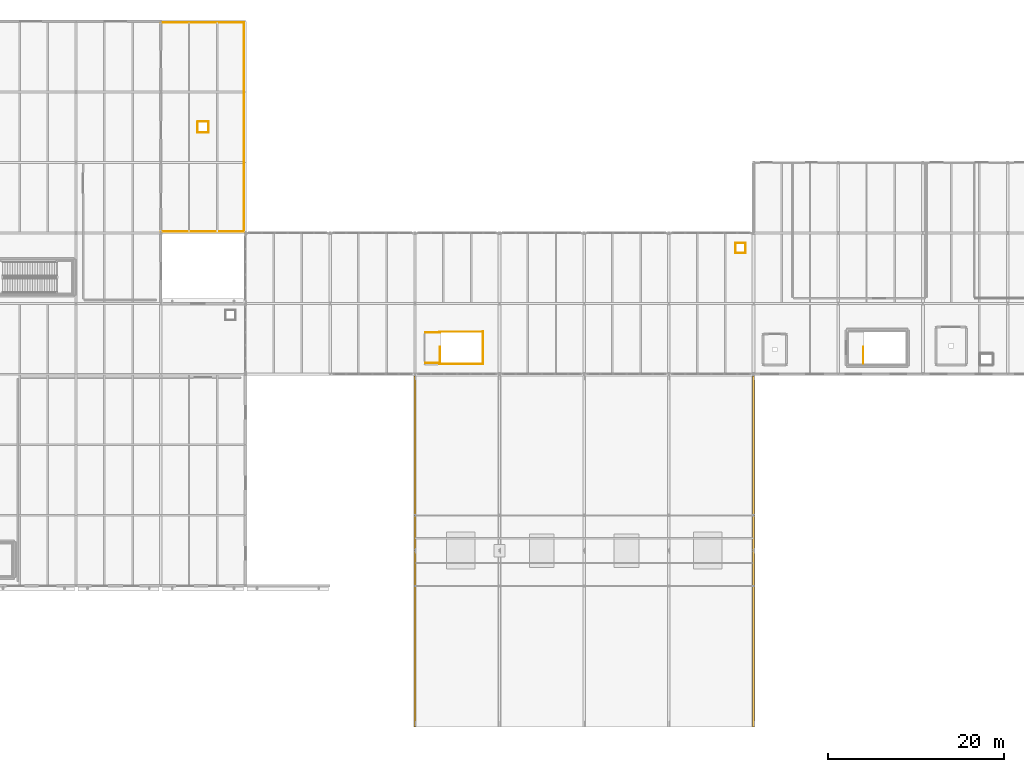
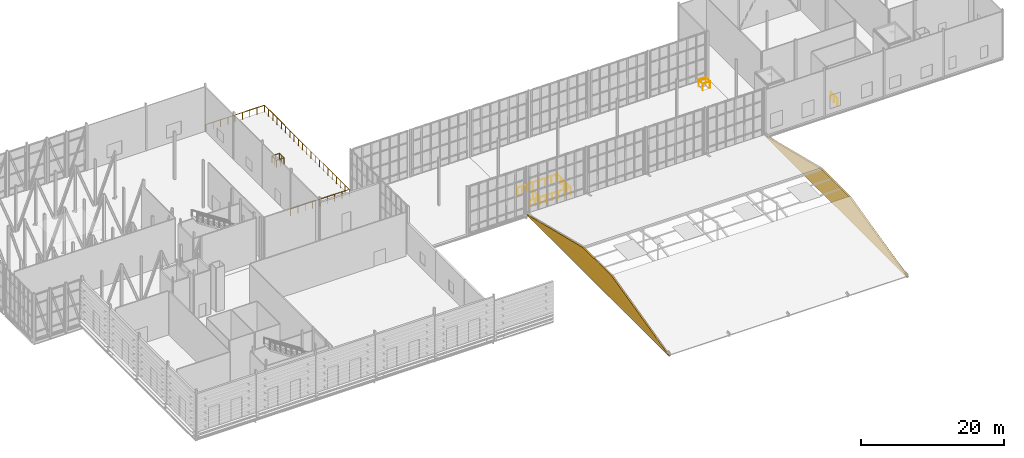
# One storey, part 73 of 73: 12 railings, 2 coverings.
"""IFC4 building model written with IfcOpenShell, lengths in metres."""

from ifc_helpers import new_model, si_unit, direction, frame, origin, origin_2d, place, context, subcontext, project, spatial, polyline, circle, outline, extrude, material, layer, layer_set, type_object, element, save


model = new_model("IFC4")

# Units and contexts
model_context = context("Model", 3, precision=1e-05, world=origin(), true_north=direction((0.0, 1.0)))
body_context = subcontext(model_context, "Body", "Model", "MODEL_VIEW")
ifc_project = project(units=[si_unit("LENGTHUNIT", "METRE"), si_unit("AREAUNIT", "SQUARE_METRE"), si_unit("VOLUMEUNIT", "CUBIC_METRE"), si_unit("PLANEANGLEUNIT", "RADIAN"), si_unit("MASSUNIT", "GRAM", prefix="KILO")], contexts=[model_context])

# Site, building, storey
site_placement = place(None, origin())
site = spatial("IfcSite", under=ifc_project, at=site_placement, CompositionType="ELEMENT")
building_placement = place(site_placement, origin())
building = spatial("IfcBuilding", under=site, at=building_placement, Name="Alderhovde Museum", CompositionType="ELEMENT")
storey_placement = place(building_placement, frame((0.0, 0.0, 17.39990234375)))
storey = spatial("IfcBuildingStorey", under=building, at=storey_placement, Name="L04", CompositionType="ELEMENT", Elevation=17.39990234375)

# Coverings
ifc_material_1 = material(Name="Carved Jura Limestone Gable Tympanum Cladding", Category="masonry")
ifc_layer = layer(ifc_material_1, 0.239990234375)
ifc_layer_set = layer_set([ifc_layer], Name="Carved Jura Limestone Gable Tympanum Cladding")
covering_type = type_object("IfcCoveringType", Name="COV-TYMP-STONE", PredefinedType="CLADDING", material=ifc_layer_set)
for number, where, z_axis, x_axis, name in (
    (1, (76.800048828125, 32.0, 0.0), (0.0, 0.0, 1.0), (0.0, 1.0, 0.0), "Conservatory Atrium Gable Tympanum 5"),
    (2, (115.199951171875, 32.0, 0.0), (0.0, 0.0, 1.0), (0.0, 1.0, 0.0), "Conservatory Atrium Gable Tympanum 6"),
):
    element("IfcCovering", number, at=place(storey_placement, frame(where, z_axis=z_axis, x_axis=x_axis)), inside=storey, type_object=covering_type, Name=name, PredefinedType="CLADDING", context=body_context, shape_type="SweptSolid", body=[
        extrude(outline(polyline([(0.0, 0.0), (39.800048828125, 0.0), (39.800048828125, 0.080078125), (24.0, 3.960205078125), (16.0, 3.960205078125), (0.0, 0.080078125), (0.0, 0.0)])), frame((0.0, 0.1201171875, 0.0), z_axis=(0.0, -1.0, 0.0), x_axis=(1.0, 0.0, 0.0)), (0.0, 0.0, 1.0), 0.239990234375),
    ])

# Railings
ifc_material_2 = material(Name="Bronze-Anodised Steel and Honed Limestone Balustrade", Category="masonry")
railing_type_1 = type_object("IfcRailingType", Name="RL-BALUSTRADE-1200", PredefinedType="BALUSTRADE", material=ifc_material_2)
railing_1_placement = place(storey_placement, frame((48.0, 88.14990234375, 0.0)))
element("IfcRailing", 3, at=railing_1_placement, inside=storey, type_object=railing_type_1, Name="L04 Terrace Balustrade BAL-L04-NORTH-PERIM", PredefinedType="BALUSTRADE", context=body_context, shape_type="SweptSolid", body=[
    extrude(circle(Radius=0.030029296875, at=origin_2d()), frame((0.0, 0.0, 1.169921875), z_axis=(1.0, 0.0, 0.0), x_axis=(0.0, 1.0, 0.0)), (0.0, 0.0, 1.0), 9.449951171875),
    extrude(circle(Radius=0.030029296875, at=origin_2d()), frame((9.449951171875, 0.0, 1.169921875), z_axis=(0.0, 1.0, 0.0), x_axis=(-1.0, 0.0, 0.0)), (0.0, 0.0, 1.0), 23.7001953125),
    extrude(circle(Radius=0.030029296875, at=origin_2d()), frame((9.449951171875, 23.7001953125, 1.169921875), z_axis=(-1.0, 0.0, 0.0), x_axis=(0.0, -1.0, 0.0)), (0.0, 0.0, 1.0), 9.449951171875),
    extrude(circle(Radius=0.02490234375, at=origin_2d()), origin(), (0.0, 0.0, 1.0), 1.139892578125),
    extrude(circle(Radius=0.02490234375, at=origin_2d()), frame((1.18115234375, 0.0, 0.0)), (0.0, 0.0, 1.0), 1.139892578125),
    extrude(circle(Radius=0.02490234375, at=origin_2d()), frame((2.362548828125, 0.0, 0.0)), (0.0, 0.0, 1.0), 1.139892578125),
    extrude(circle(Radius=0.02490234375, at=origin_2d()), frame((3.543701171875, 0.0, 0.0)), (0.0, 0.0, 1.0), 1.139892578125),
    extrude(circle(Radius=0.02490234375, at=origin_2d()), frame((4.72509765625, 0.0, 0.0)), (0.0, 0.0, 1.0), 1.139892578125),
    extrude(circle(Radius=0.02490234375, at=origin_2d()), frame((5.90625, 0.0, 0.0)), (0.0, 0.0, 1.0), 1.139892578125),
    extrude(circle(Radius=0.02490234375, at=origin_2d()), frame((7.08740234375, 0.0, 0.0)), (0.0, 0.0, 1.0), 1.139892578125),
    extrude(circle(Radius=0.02490234375, at=origin_2d()), frame((8.268798828125, 0.0, 0.0)), (0.0, 0.0, 1.0), 1.139892578125),
    extrude(circle(Radius=0.02490234375, at=origin_2d()), frame((9.449951171875, 0.0, 0.0)), (0.0, 0.0, 1.0), 1.139892578125),
    extrude(circle(Radius=0.02490234375, at=origin_2d()), frame((9.449951171875, 1.18505859375, 0.0)), (0.0, 0.0, 1.0), 1.139892578125),
    extrude(circle(Radius=0.02490234375, at=origin_2d()), frame((9.449951171875, 2.3701171875, 0.0)), (0.0, 0.0, 1.0), 1.139892578125),
    extrude(circle(Radius=0.02490234375, at=origin_2d()), frame((9.449951171875, 3.554931640625, 0.0)), (0.0, 0.0, 1.0), 1.139892578125),
    extrude(circle(Radius=0.02490234375, at=origin_2d()), frame((9.449951171875, 4.739990234375, 0.0)), (0.0, 0.0, 1.0), 1.139892578125),
    extrude(circle(Radius=0.02490234375, at=origin_2d()), frame((9.449951171875, 5.925048828125, 0.0)), (0.0, 0.0, 1.0), 1.139892578125),
    extrude(circle(Radius=0.02490234375, at=origin_2d()), frame((9.449951171875, 7.110107421875, 0.0)), (0.0, 0.0, 1.0), 1.139892578125),
    extrude(circle(Radius=0.02490234375, at=origin_2d()), frame((9.449951171875, 8.295166015625, 0.0)), (0.0, 0.0, 1.0), 1.139892578125),
    extrude(circle(Radius=0.02490234375, at=origin_2d()), frame((9.449951171875, 9.47998046875, 0.0)), (0.0, 0.0, 1.0), 1.139892578125),
    extrude(circle(Radius=0.02490234375, at=origin_2d()), frame((9.449951171875, 10.6650390625, 0.0)), (0.0, 0.0, 1.0), 1.139892578125),
    extrude(circle(Radius=0.02490234375, at=origin_2d()), frame((9.449951171875, 11.85009765625, 0.0)), (0.0, 0.0, 1.0), 1.139892578125),
    extrude(circle(Radius=0.02490234375, at=origin_2d()), frame((9.449951171875, 13.03515625, 0.0)), (0.0, 0.0, 1.0), 1.139892578125),
    extrude(circle(Radius=0.02490234375, at=origin_2d()), frame((9.449951171875, 14.22021484375, 0.0)), (0.0, 0.0, 1.0), 1.139892578125),
    extrude(circle(Radius=0.02490234375, at=origin_2d()), frame((9.449951171875, 15.405029296875, 0.0)), (0.0, 0.0, 1.0), 1.139892578125),
    extrude(circle(Radius=0.02490234375, at=origin_2d()), frame((9.449951171875, 16.590087890625, 0.0)), (0.0, 0.0, 1.0), 1.139892578125),
    extrude(circle(Radius=0.02490234375, at=origin_2d()), frame((9.449951171875, 17.775146484375, 0.0)), (0.0, 0.0, 1.0), 1.139892578125),
    extrude(circle(Radius=0.02490234375, at=origin_2d()), frame((9.449951171875, 18.960205078125, 0.0)), (0.0, 0.0, 1.0), 1.139892578125),
    extrude(circle(Radius=0.02490234375, at=origin_2d()), frame((9.449951171875, 20.145263671875, 0.0)), (0.0, 0.0, 1.0), 1.139892578125),
    extrude(circle(Radius=0.02490234375, at=origin_2d()), frame((9.449951171875, 21.330078125, 0.0)), (0.0, 0.0, 1.0), 1.139892578125),
    extrude(circle(Radius=0.02490234375, at=origin_2d()), frame((9.449951171875, 22.51513671875, 0.0)), (0.0, 0.0, 1.0), 1.139892578125),
    extrude(circle(Radius=0.02490234375, at=origin_2d()), frame((9.449951171875, 23.7001953125, 0.0)), (0.0, 0.0, 1.0), 1.139892578125),
    extrude(circle(Radius=0.02490234375, at=origin_2d()), frame((8.268798828125, 23.7001953125, 0.0)), (0.0, 0.0, 1.0), 1.139892578125),
    extrude(circle(Radius=0.02490234375, at=origin_2d()), frame((7.08740234375, 23.7001953125, 0.0)), (0.0, 0.0, 1.0), 1.139892578125),
    extrude(circle(Radius=0.02490234375, at=origin_2d()), frame((5.90625, 23.7001953125, 0.0)), (0.0, 0.0, 1.0), 1.139892578125),
    extrude(circle(Radius=0.02490234375, at=origin_2d()), frame((4.72509765625, 23.7001953125, 0.0)), (0.0, 0.0, 1.0), 1.139892578125),
    extrude(circle(Radius=0.02490234375, at=origin_2d()), frame((3.543701171875, 23.7001953125, 0.0)), (0.0, 0.0, 1.0), 1.139892578125),
    extrude(circle(Radius=0.02490234375, at=origin_2d()), frame((2.362548828125, 23.7001953125, 0.0)), (0.0, 0.0, 1.0), 1.139892578125),
    extrude(circle(Radius=0.02490234375, at=origin_2d()), frame((1.18115234375, 23.7001953125, 0.0)), (0.0, 0.0, 1.0), 1.139892578125),
    extrude(circle(Radius=0.02490234375, at=origin_2d()), frame((0.0, 23.7001953125, 0.0)), (0.0, 0.0, 1.0), 1.139892578125),
])
railing_2_placement = place(storey_placement, frame((52.179931640625, 99.3798828125, 0.0)))
element("IfcRailing", 4, at=railing_2_placement, inside=storey, type_object=railing_type_1, Name="L04 Terrace Planter Guard SLAB-TERR-L04-NORTH A", PredefinedType="BALUSTRADE", context=body_context, shape_type="SweptSolid", body=[
    extrude(circle(Radius=0.02392578125, at=origin_2d()), frame((0.0, 0.0, 1.17578125), z_axis=(1.0, 0.0, 0.0), x_axis=(0.0, 1.0, 0.0)), (0.0, 0.0, 1.0), 1.239990234375),
    extrude(circle(Radius=0.02392578125, at=origin_2d()), frame((1.239990234375, 0.0, 1.17578125), z_axis=(0.0, 1.0, 0.0), x_axis=(-1.0, 0.0, 0.0)), (0.0, 0.0, 1.0), 1.240234375),
    extrude(circle(Radius=0.02099609375, at=origin_2d()), origin(), (0.0, 0.0, 1.0), 1.15185546875),
    extrude(circle(Radius=0.02099609375, at=origin_2d()), frame((0.6201171875, 0.0, 0.0)), (0.0, 0.0, 1.0), 1.15185546875),
    extrude(circle(Radius=0.02099609375, at=origin_2d()), frame((1.239990234375, 0.0, 0.0)), (0.0, 0.0, 1.0), 1.15185546875),
    extrude(circle(Radius=0.02099609375, at=origin_2d()), frame((1.239990234375, 0.6201171875, 0.0)), (0.0, 0.0, 1.0), 1.15185546875),
    extrude(circle(Radius=0.02099609375, at=origin_2d()), frame((1.239990234375, 1.240234375, 0.0)), (0.0, 0.0, 1.0), 1.15185546875),
])
railing_3_placement = place(storey_placement, frame((53.419921875, 100.6201171875, 0.0)))
element("IfcRailing", 5, at=railing_3_placement, inside=storey, type_object=railing_type_1, Name="L04 Terrace Planter Guard SLAB-TERR-L04-NORTH B", PredefinedType="BALUSTRADE", context=body_context, shape_type="SweptSolid", body=[
    extrude(circle(Radius=0.02392578125, at=origin_2d()), frame((0.0, 0.0, 1.17578125), z_axis=(-1.0, 0.0, 0.0), x_axis=(0.0, -1.0, 0.0)), (0.0, 0.0, 1.0), 1.239990234375),
    extrude(circle(Radius=0.02392578125, at=origin_2d()), frame((-1.239990234375, 0.0, 1.17578125), z_axis=(0.0, -1.0, 0.0), x_axis=(1.0, 0.0, 0.0)), (0.0, 0.0, 1.0), 1.240234375),
    extrude(circle(Radius=0.02099609375, at=origin_2d()), origin(), (0.0, 0.0, 1.0), 1.15185546875),
    extrude(circle(Radius=0.02099609375, at=origin_2d()), frame((-0.6201171875, 0.0, 0.0)), (0.0, 0.0, 1.0), 1.15185546875),
    extrude(circle(Radius=0.02099609375, at=origin_2d()), frame((-1.239990234375, 0.0, 0.0)), (0.0, 0.0, 1.0), 1.15185546875),
    extrude(circle(Radius=0.02099609375, at=origin_2d()), frame((-1.239990234375, -0.6201171875, 0.0)), (0.0, 0.0, 1.0), 1.15185546875),
    extrude(circle(Radius=0.02099609375, at=origin_2d()), frame((-1.239990234375, -1.240234375, 0.0)), (0.0, 0.0, 1.0), 1.15185546875),
])
ifc_material_3 = material(Name="Painted Steel S355 Guardrail", Category="steel")
railing_type_2 = type_object("IfcRailingType", Name="RL-GUARD-1200", PredefinedType="GUARDRAIL", material=ifc_material_3)
railing_4_placement = place(storey_placement, frame((113.1298828125, 85.72998046875, 0.0)))
element("IfcRailing", 6, at=railing_4_placement, inside=storey, type_object=railing_type_2, Name="L04 VOL2 Shaft Opening Guardrail A", PredefinedType="GUARDRAIL", context=body_context, shape_type="SweptSolid", body=[
    extrude(circle(Radius=0.02392578125, at=origin_2d()), frame((0.0, 0.0, 1.17578125), z_axis=(1.0, 0.0, 0.0), x_axis=(0.0, 1.0, 0.0)), (0.0, 0.0, 1.0), 1.14013671875),
    extrude(circle(Radius=0.02392578125, at=origin_2d()), frame((1.14013671875, 0.0, 1.17578125), z_axis=(0.0, 1.0, 0.0), x_axis=(-1.0, 0.0, 0.0)), (0.0, 0.0, 1.0), 1.14013671875),
    extrude(circle(Radius=0.02099609375, at=origin_2d()), origin(), (0.0, 0.0, 1.0), 1.15185546875),
    extrude(circle(Radius=0.02099609375, at=origin_2d()), frame((1.14013671875, 0.0, 0.0)), (0.0, 0.0, 1.0), 1.15185546875),
    extrude(circle(Radius=0.02099609375, at=origin_2d()), frame((1.14013671875, 1.14013671875, 0.0)), (0.0, 0.0, 1.0), 1.15185546875),
])
railing_5_placement = place(storey_placement, frame((114.27001953125, 86.8701171875, 0.0)))
element("IfcRailing", 7, at=railing_5_placement, inside=storey, type_object=railing_type_2, Name="L04 VOL2 Shaft Opening Guardrail B", PredefinedType="GUARDRAIL", context=body_context, shape_type="SweptSolid", body=[
    extrude(circle(Radius=0.02392578125, at=origin_2d()), frame((0.0, 0.0, 1.17578125), z_axis=(-1.0, 0.0, 0.0), x_axis=(0.0, -1.0, 0.0)), (0.0, 0.0, 1.0), 1.14013671875),
    extrude(circle(Radius=0.02392578125, at=origin_2d()), frame((-1.14013671875, 0.0, 1.17578125), z_axis=(0.0, -1.0, 0.0), x_axis=(1.0, 0.0, 0.0)), (0.0, 0.0, 1.0), 1.14013671875),
    extrude(circle(Radius=0.02099609375, at=origin_2d()), origin(), (0.0, 0.0, 1.0), 1.15185546875),
    extrude(circle(Radius=0.02099609375, at=origin_2d()), frame((-1.14013671875, 0.0, 0.0)), (0.0, 0.0, 1.0), 1.15185546875),
    extrude(circle(Radius=0.02099609375, at=origin_2d()), frame((-1.14013671875, -1.14013671875, 0.0)), (0.0, 0.0, 1.0), 1.15185546875),
])
for number, where, name in (
    (8, (127.6298828125, 73.199951171875, 0.0), "L04 ST4 top well guard 1"),
    (9, (79.6298828125, 73.199951171875, 0.0), "L04 ST5 top well guard 1"),
):
    element("IfcRailing", number, at=place(storey_placement, frame(where)), inside=storey, type_object=railing_type_2, Name=name, PredefinedType="GUARDRAIL", context=body_context, shape_type="SweptSolid", body=[
        extrude(circle(Radius=0.02392578125, at=origin_2d()), frame((0.0, 0.0, 1.17578125), z_axis=(0.0, 1.0, 0.0), x_axis=(-1.0, 0.0, 0.0)), (0.0, 0.0, 1.0), 1.880126953125),
        extrude(circle(Radius=0.02099609375, at=origin_2d()), origin(), (0.0, 0.0, 1.0), 1.15185546875),
        extrude(circle(Radius=0.02099609375, at=origin_2d()), frame((0.0, 0.93994140625, 0.0)), (0.0, 0.0, 1.0), 1.15185546875),
        extrude(circle(Radius=0.02099609375, at=origin_2d()), frame((0.0, 1.880126953125, 0.0)), (0.0, 0.0, 1.0), 1.15185546875),
    ])
for number, where, name in (
    (10, (79.580078125, 73.14990234375, 0.0), "L04 ST5 top well guard 2"),
    (11, (79.580078125, 76.81005859375, 0.0), "L04 ST5 top well guard 3"),
):
    element("IfcRailing", number, at=place(storey_placement, frame(where)), inside=storey, type_object=railing_type_2, Name=name, PredefinedType="GUARDRAIL", context=body_context, shape_type="SweptSolid", body=[
        extrude(circle(Radius=0.02392578125, at=origin_2d()), frame((0.0, 0.0, 1.17578125), z_axis=(1.0, 0.0, 0.0), x_axis=(0.0, 1.0, 0.0)), (0.0, 0.0, 1.0), 4.9599609375),
        extrude(circle(Radius=0.02099609375, at=origin_2d()), origin(), (0.0, 0.0, 1.0), 1.15185546875),
        extrude(circle(Radius=0.02099609375, at=origin_2d()), frame((0.991943359375, 0.0, 0.0)), (0.0, 0.0, 1.0), 1.15185546875),
        extrude(circle(Radius=0.02099609375, at=origin_2d()), frame((1.98388671875, 0.0, 0.0)), (0.0, 0.0, 1.0), 1.15185546875),
        extrude(circle(Radius=0.02099609375, at=origin_2d()), frame((2.97607421875, 0.0, 0.0)), (0.0, 0.0, 1.0), 1.15185546875),
        extrude(circle(Radius=0.02099609375, at=origin_2d()), frame((3.968017578125, 0.0, 0.0)), (0.0, 0.0, 1.0), 1.15185546875),
        extrude(circle(Radius=0.02099609375, at=origin_2d()), frame((4.9599609375, 0.0, 0.0)), (0.0, 0.0, 1.0), 1.15185546875),
    ])
for number, where, name in (
    (12, (78.0, 73.25, 0.0), "L04 ST5 top well guard 4"),
    (13, (78.0, 76.7099609375, 0.0), "L04 ST5 top well guard 5"),
):
    element("IfcRailing", number, at=place(storey_placement, frame(where)), inside=storey, type_object=railing_type_2, Name=name, PredefinedType="GUARDRAIL", context=body_context, shape_type="SweptSolid", body=[
        extrude(circle(Radius=0.02392578125, at=origin_2d()), frame((0.0, 0.0, 1.17578125), z_axis=(1.0, 0.0, 0.0), x_axis=(0.0, 1.0, 0.0)), (0.0, 0.0, 1.0), 1.679931640625),
        extrude(circle(Radius=0.02099609375, at=origin_2d()), origin(), (0.0, 0.0, 1.0), 1.15185546875),
        extrude(circle(Radius=0.02099609375, at=origin_2d()), frame((0.83984375, 0.0, 0.0)), (0.0, 0.0, 1.0), 1.15185546875),
        extrude(circle(Radius=0.02099609375, at=origin_2d()), frame((1.679931640625, 0.0, 0.0)), (0.0, 0.0, 1.0), 1.15185546875),
    ])
railing_6_placement = place(storey_placement, frame((84.52001953125, 73.1201171875, 0.0)))
element("IfcRailing", 14, at=railing_6_placement, inside=storey, type_object=railing_type_2, Name="L04 Conservatory Stair ST5 East Well Guardrail", PredefinedType="GUARDRAIL", context=body_context, shape_type="SweptSolid", body=[
    extrude(circle(Radius=0.02392578125, at=origin_2d()), frame((0.0, 0.0, 1.17578125), z_axis=(0.0, 1.0, 0.0), x_axis=(-1.0, 0.0, 0.0)), (0.0, 0.0, 1.0), 3.719970703125),
    extrude(circle(Radius=0.02099609375, at=origin_2d()), origin(), (0.0, 0.0, 1.0), 1.15185546875),
    extrude(circle(Radius=0.02099609375, at=origin_2d()), frame((0.0, 0.929931640625, 0.0)), (0.0, 0.0, 1.0), 1.15185546875),
    extrude(circle(Radius=0.02099609375, at=origin_2d()), frame((0.0, 1.85986328125, 0.0)), (0.0, 0.0, 1.0), 1.15185546875),
    extrude(circle(Radius=0.02099609375, at=origin_2d()), frame((0.0, 2.7900390625, 0.0)), (0.0, 0.0, 1.0), 1.15185546875),
    extrude(circle(Radius=0.02099609375, at=origin_2d()), frame((0.0, 3.719970703125, 0.0)), (0.0, 0.0, 1.0), 1.15185546875),
])

save(model, "model.ifc")
